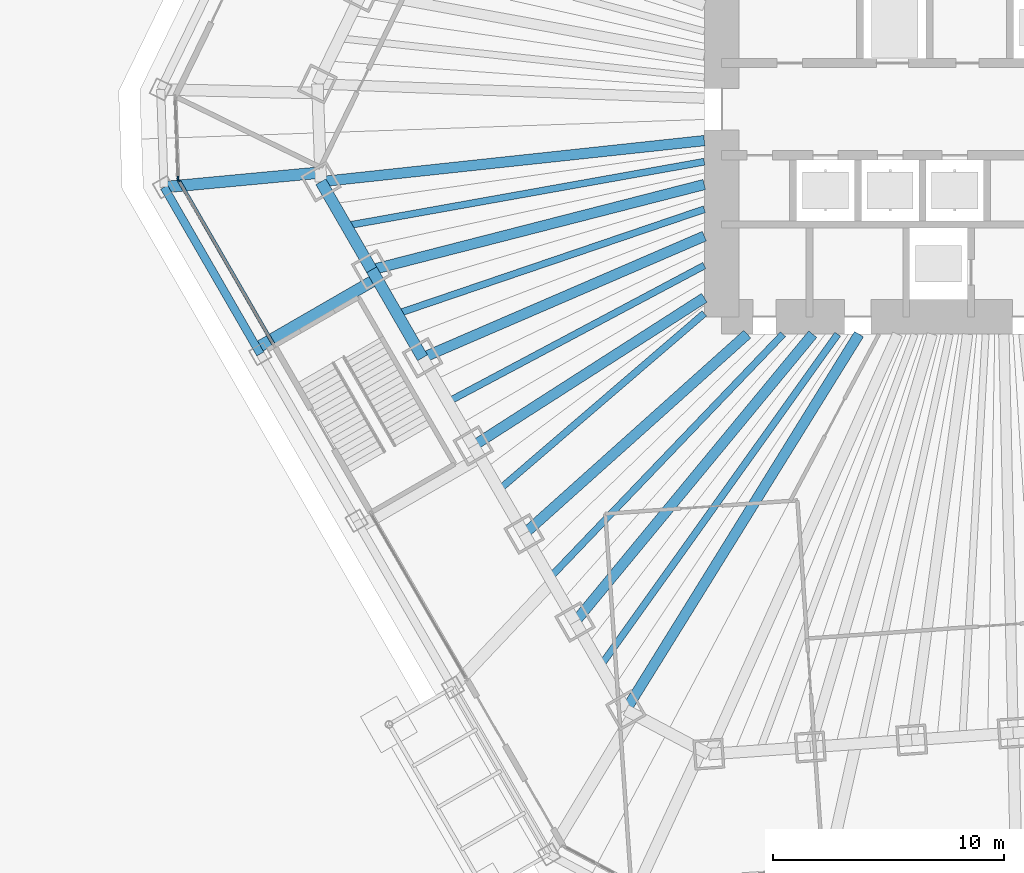
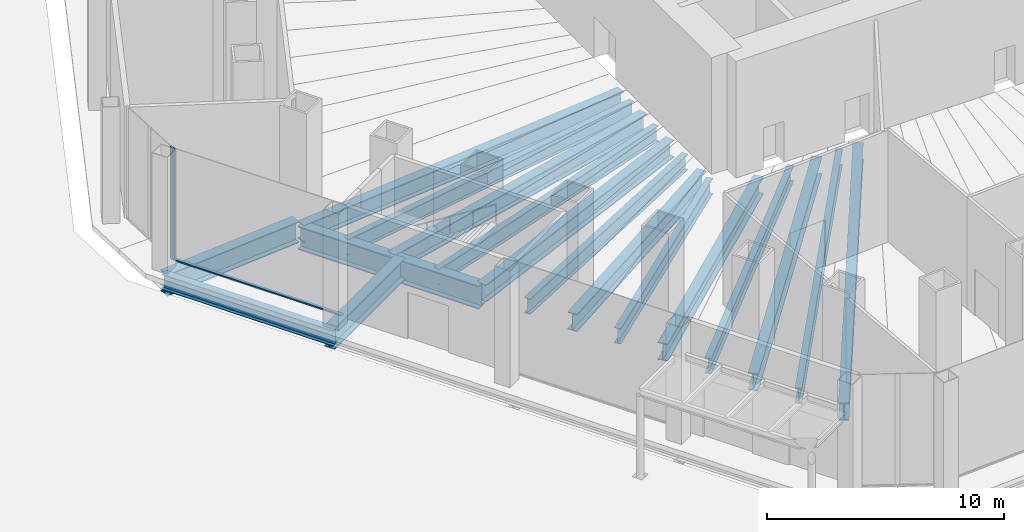
# One storey, part 12 of 45: 18 beams, 3 members, 2 elements without a shape of their own.
"""IFC4 building model written with IfcOpenShell, lengths in metres."""

from ifc_helpers import new_model, si_unit, direction, frame, origin, origin_2d, place, context, subcontext, project, spatial, rectangle, i_section, extrude, material, material_profile, profile_set, type_object, element, aggregate, save


model = new_model("IFC4")

# Units and contexts
model_context = context("Model", 3, precision=1e-05, world=origin(), true_north=direction((0.0, 1.0)))
body_context = subcontext(model_context, "Body", "Model", "MODEL_VIEW")
ifc_project = project(units=[si_unit("LENGTHUNIT", "METRE"), si_unit("AREAUNIT", "SQUARE_METRE"), si_unit("VOLUMEUNIT", "CUBIC_METRE"), si_unit("PLANEANGLEUNIT", "RADIAN"), si_unit("MASSUNIT", "GRAM", prefix="KILO")], contexts=[model_context])

# Site, building, storey
site_placement = place(None, origin())
site = spatial("IfcSite", under=ifc_project, at=site_placement, CompositionType="ELEMENT")
building_placement = place(site_placement, origin())
building = spatial("IfcBuilding", under=site, at=building_placement, Name="Qingtian Harvest Tower", CompositionType="ELEMENT")
storey_placement = place(building_placement, origin())
storey = spatial("IfcBuildingStorey", under=building, at=storey_placement, Name="L00", CompositionType="ELEMENT", Elevation=0.0)

# Beams
ifc_material_1 = material(Name="Steel SM570MC", Category="steel")
ifc_material_profile_1 = material_profile(ifc_material_1, i_section(OverallWidth=0.449951171875, OverallDepth=0.89990234375, WebThickness=0.02197265625, FlangeThickness=0.044921875, at=origin_2d()), Name="H900x450x22x45")
ifc_profile_set_1 = profile_set([ifc_material_profile_1], Name="Steel SM570MC")
beam_type_1 = type_object("IfcBeamType", Name="Floor beam FB5 H900x450x22x45", PredefinedType="BEAM", material=ifc_profile_set_1)
beam_1_placement = place(storey_placement, frame((-16.14697265625, -26.03271484375, -0.699951171875), z_axis=(0.5270935495, 0.849807266429, 0.0), x_axis=(-0.849807266429, 0.5270935495, 0.0)))
element("IfcBeam", 1, at=beam_1_placement, inside=storey, type_object=beam_type_1, Name="Floor beam FB5 SW0", PredefinedType="BEAM", context=body_context, shape_type="SweptSolid", body=[
    extrude(i_section(OverallWidth=0.449951171875, OverallDepth=0.89990234375, WebThickness=0.02197265625, FlangeThickness=0.044921875, at=origin_2d()), origin(), (0.0, 0.0, 1.0), 19.160400390625),
])
beam_2_placement = place(storey_placement, frame((-18.349365234375, -22.21826171875, -0.699951171875), z_axis=(0.636780387972, 0.771045224026, 0.0), x_axis=(-0.771045224026, 0.636780387972, 0.0)))
element("IfcBeam", 2, at=beam_2_placement, inside=storey, type_object=beam_type_1, Name="Floor beam FB5 SW1", PredefinedType="BEAM", context=body_context, shape_type="SweptSolid", body=[
    extrude(i_section(OverallWidth=0.449951171875, OverallDepth=0.89990234375, WebThickness=0.02197265625, FlangeThickness=0.044921875, at=origin_2d()), origin(), (0.0, 0.0, 1.0), 16.170654296875),
])
beam_3_placement = place(storey_placement, frame((-20.551513671875, -18.403564453125, -0.699951171875), z_axis=(0.744965104975, 0.667103434536, 0.0), x_axis=(-0.667103434536, 0.744965104975, 0.0)))
element("IfcBeam", 3, at=beam_3_placement, inside=storey, type_object=beam_type_1, Name="Floor beam FB5 SW2", PredefinedType="BEAM", context=body_context, shape_type="SweptSolid", body=[
    extrude(i_section(OverallWidth=0.449951171875, OverallDepth=0.89990234375, WebThickness=0.02197265625, FlangeThickness=0.044921875, at=origin_2d()), origin(), (0.0, 0.0, 1.0), 12.971923828125),
])
beam_4_placement = place(storey_placement, frame((-22.75390625, -14.589111328125, -0.699951171875), z_axis=(0.841829353865, 0.539743771591, 0.0), x_axis=(-0.539743771591, 0.841829353865, 0.0)))
element("IfcBeam", 4, at=beam_4_placement, inside=storey, type_object=beam_type_1, Name="Floor beam FB5 SW3", PredefinedType="BEAM", context=body_context, shape_type="SweptSolid", body=[
    extrude(i_section(OverallWidth=0.449951171875, OverallDepth=0.89990234375, WebThickness=0.02197265625, FlangeThickness=0.044921875, at=origin_2d()), origin(), (0.0, 0.0, 1.0), 11.883544921875),
])
beam_5_placement = place(storey_placement, frame((-24.9560546875, -10.774658203125, -0.699951171875), z_axis=(0.918083617325, 0.396386770213, 0.0), x_axis=(-0.396386770213, 0.918083617325, 0.0)))
element("IfcBeam", 5, at=beam_5_placement, inside=storey, type_object=beam_type_1, Name="Floor beam FB5 SW4", PredefinedType="BEAM", context=body_context, shape_type="SweptSolid", body=[
    extrude(i_section(OverallWidth=0.449951171875, OverallDepth=0.89990234375, WebThickness=0.02197265625, FlangeThickness=0.044921875, at=origin_2d()), origin(), (0.0, 0.0, 1.0), 13.295166015625),
])
beam_6_placement = place(storey_placement, frame((-27.158447265625, -6.960205078125, -0.699951171875), z_axis=(0.968693729942, 0.248258851947, 0.0), x_axis=(-0.248258851947, 0.968693729942, 0.0)))
element("IfcBeam", 6, at=beam_6_placement, inside=storey, type_object=beam_type_1, Name="Floor beam FB5 SW5", PredefinedType="BEAM", context=body_context, shape_type="SweptSolid", body=[
    extrude(i_section(OverallWidth=0.449951171875, OverallDepth=0.89990234375, WebThickness=0.02197265625, FlangeThickness=0.044921875, at=origin_2d()), origin(), (0.0, 0.0, 1.0), 14.8740234375),
])
beam_7_placement = place(storey_placement, frame((-29.36083984375, -3.145751953125, -0.699951171875), z_axis=(0.994308822197, 0.106536219669, 0.0), x_axis=(-0.106536219669, 0.994308822197, 0.0)))
element("IfcBeam", 7, at=beam_7_placement, inside=storey, type_object=beam_type_1, Name="Floor beam FB5 SW6", PredefinedType="BEAM", context=body_context, shape_type="SweptSolid", body=[
    extrude(i_section(OverallWidth=0.449951171875, OverallDepth=0.89990234375, WebThickness=0.02197265625, FlangeThickness=0.044921875, at=origin_2d()), origin(), (0.0, 0.0, 1.0), 16.705810546875),
])
ifc_material_2 = material(Name="Steel SM570MC", Category="steel")
ifc_material_profile_2 = material_profile(ifc_material_2, i_section(OverallWidth=0.5, OverallDepth=1.10009765625, WebThickness=0.02490234375, FlangeThickness=0.050048828125, at=origin_2d()), Name="H1100x500x25x50")
ifc_profile_set_2 = profile_set([ifc_material_profile_2], Name="Steel SM570MC")
beam_type_2 = type_object("IfcBeamType", Name="Floor beam FB6 H1100x500x25x50", PredefinedType="BEAM", material=ifc_profile_set_2)
beam_8_placement = place(storey_placement, frame((-32.131103515625, -10.34716796875, -0.800048828125), z_axis=(0.866020924479, 0.500007758305, 0.0), x_axis=(-0.500007758305, 0.866020924479, 0.0)))
element("IfcBeam", 8, at=beam_8_placement, inside=storey, type_object=beam_type_2, Name="Podium floor beam FB6 SW3", PredefinedType="BEAM", context=body_context, shape_type="SweptSolid", body=[
    extrude(i_section(OverallWidth=0.5, OverallDepth=1.10009765625, WebThickness=0.02490234375, FlangeThickness=0.050048828125, at=origin_2d()), origin(), (0.0, 0.0, 1.0), 6.0),
])
beam_9_placement = place(storey_placement, frame((-36.152099609375, -3.3828125, -0.800048828125), z_axis=(0.995649523879, 0.093177387812, 0.0), x_axis=(-0.093177387812, 0.995649523879, 0.0)))
element("IfcBeam", 9, at=beam_9_placement, inside=storey, type_object=beam_type_2, Name="Podium floor beam FB6 SW4", PredefinedType="BEAM", context=body_context, shape_type="SweptSolid", body=[
    extrude(i_section(OverallWidth=0.5, OverallDepth=1.10009765625, WebThickness=0.02490234375, FlangeThickness=0.050048828125, at=origin_2d()), origin(), (0.0, 0.0, 1.0), 6.80712890625),
])
ifc_material_3 = material(Name="Steel SN490B", Category="steel")
ifc_material_profile_3 = material_profile(ifc_material_3, i_section(OverallWidth=0.300048828125, OverallDepth=0.800048828125, WebThickness=0.013916015625, FlangeThickness=0.02587890625, at=origin_2d()), Name="H800x300x14x26")
ifc_profile_set_3 = profile_set([ifc_material_profile_3], Name="Steel SN490B")
beam_type_3 = type_object("IfcBeamType", Name="Floor joist J1 H800x300x14x26", PredefinedType="JOIST", material=ifc_profile_set_3)
beam_10_placement = place(storey_placement, frame((-17.248046875, -24.12548828125, -0.64990234375), z_axis=(0.581580544546, 0.81348882611, 0.0), x_axis=(-0.81348882611, 0.581580544546, 0.0)))
element("IfcBeam", 10, at=beam_10_placement, inside=storey, type_object=beam_type_3, Name="Floor joist J1 SW0", PredefinedType="JOIST", context=body_context, shape_type="SweptSolid", body=[
    extrude(i_section(OverallWidth=0.300048828125, OverallDepth=0.800048828125, WebThickness=0.013916015625, FlangeThickness=0.02587890625, at=origin_2d()), origin(), (0.0, 0.0, 1.0), 17.67138671875),
])
beam_11_placement = place(storey_placement, frame((-19.450439453125, -20.31103515625, -0.64990234375), z_axis=(0.691639144398, 0.722243237377, 0.0), x_axis=(-0.722243237377, 0.691639144398, 0.0)))
element("IfcBeam", 11, at=beam_11_placement, inside=storey, type_object=beam_type_3, Name="Floor joist J1 SW1", PredefinedType="JOIST", context=body_context, shape_type="SweptSolid", body=[
    extrude(i_section(OverallWidth=0.300048828125, OverallDepth=0.800048828125, WebThickness=0.013916015625, FlangeThickness=0.02587890625, at=origin_2d()), origin(), (0.0, 0.0, 1.0), 14.62255859375),
])
beam_12_placement = place(storey_placement, frame((-21.652587890625, -16.496337890625, -0.64990234375), z_axis=(0.758605680154, 0.651550014994, 0.0), x_axis=(-0.651550014994, 0.758605680154, 0.0)))
element("IfcBeam", 12, at=beam_12_placement, inside=storey, type_object=beam_type_3, Name="Floor joist J1 SW2", PredefinedType="JOIST", context=body_context, shape_type="SweptSolid", body=[
    extrude(i_section(OverallWidth=0.300048828125, OverallDepth=0.800048828125, WebThickness=0.013916015625, FlangeThickness=0.02587890625, at=origin_2d()), origin(), (0.0, 0.0, 1.0), 11.7353515625),
])
beam_13_placement = place(storey_placement, frame((-23.85498046875, -12.681884765625, -0.64990234375), z_axis=(0.882982474604, 0.469405953885, 0.0), x_axis=(-0.469405953885, 0.882982474604, 0.0)))
element("IfcBeam", 13, at=beam_13_placement, inside=storey, type_object=beam_type_3, Name="Floor joist J1 SW3", PredefinedType="JOIST", context=body_context, shape_type="SweptSolid", body=[
    extrude(i_section(OverallWidth=0.300048828125, OverallDepth=0.800048828125, WebThickness=0.013916015625, FlangeThickness=0.02587890625, at=origin_2d()), origin(), (0.0, 0.0, 1.0), 12.57666015625),
])
beam_14_placement = place(storey_placement, frame((-26.057373046875, -8.867431640625, -0.64990234375), z_axis=(0.946684735425, 0.322161468387, 0.0), x_axis=(-0.322161468387, 0.946684735425, 0.0)))
element("IfcBeam", 14, at=beam_14_placement, inside=storey, type_object=beam_type_3, Name="Floor joist J1 SW4", PredefinedType="JOIST", context=body_context, shape_type="SweptSolid", body=[
    extrude(i_section(OverallWidth=0.300048828125, OverallDepth=0.800048828125, WebThickness=0.013916015625, FlangeThickness=0.02587890625, at=origin_2d()), origin(), (0.0, 0.0, 1.0), 14.056884765625),
])
beam_15_placement = place(storey_placement, frame((-28.259521484375, -5.052978515625, -0.64990234375), z_axis=(0.984387614034, 0.176014275943, 0.0), x_axis=(-0.176014275943, 0.984387614034, 0.0)))
element("IfcBeam", 15, at=beam_15_placement, inside=storey, type_object=beam_type_3, Name="Floor joist J1 SW5", PredefinedType="JOIST", context=body_context, shape_type="SweptSolid", body=[
    extrude(i_section(OverallWidth=0.300048828125, OverallDepth=0.800048828125, WebThickness=0.013916015625, FlangeThickness=0.02587890625, at=origin_2d()), origin(), (0.0, 0.0, 1.0), 15.755615234375),
])

# Curtain wall, member
ifc_material_4 = material(Name="Bronze-anodised aluminium curtain wall", Category="aluminium")
curtain_wall_type = type_object("IfcCurtainWallType", Name="Curtain wall CW1 podium shopfront", PredefinedType="USERDEFINED", material=ifc_material_4)
curtain_wall_1_placement = place(storey_placement, origin())
curtain_wall_1 = element("IfcCurtainWall", 16, at=curtain_wall_1_placement, inside=storey, type_object=curtain_wall_type, Name="Curtain wall CW1 L00 SW3", ObjectType="RECESSED CURTAIN WALL", PredefinedType="USERDEFINED")
ifc_material_5 = material(Name="Bronze-anodised aluminium mullion", Category="aluminium")
ifc_material_profile_4 = material_profile(ifc_material_5, rectangle(XDim=0.06494140625, YDim=0.199951171875, at=origin_2d()), Name="AL 65x200")
ifc_profile_set_4 = profile_set([ifc_material_profile_4], Name="Bronze-anodised aluminium mullion")
member_type_1 = type_object("IfcMemberType", Name="Mullion CWM 65x200", PredefinedType="MULLION", material=ifc_profile_set_4)
member_1_placement = place(storey_placement, frame((-35.529541015625, -3.06103515625, 0.0), z_axis=(0.0, 0.0, 1.0), x_axis=(-0.866025403784, -0.5, 0.0)))
member_1 = element("IfcMember", 17, at=member_1_placement, type_object=member_type_1, Name="CW1 mullion 2", PredefinedType="MULLION", context=body_context, shape_type="SweptSolid", body=[
    extrude(rectangle(XDim=0.06494140625, YDim=0.199951171875, at=origin_2d()), origin(), (0.0, 0.0, 1.0), 5.75),
])

curtain_wall_2_placement = place(storey_placement, origin())
curtain_wall_2 = element("IfcCurtainWall", 18, at=curtain_wall_2_placement, inside=storey, type_object=curtain_wall_type, Name="Curtain wall CW1 L00 SWC", ObjectType="RECESSED CURTAIN WALL", PredefinedType="USERDEFINED")
member_2_placement = place(storey_placement, frame((-35.546875, -3.000244140625, 0.0), z_axis=(0.0, 0.0, 1.0), x_axis=(-0.999390827019, -0.034899496703, 0.0)))
member_2 = element("IfcMember", 19, at=member_2_placement, type_object=member_type_1, Name="CW1 mullion 1", PredefinedType="MULLION", context=body_context, shape_type="SweptSolid", body=[
    extrude(rectangle(XDim=0.06494140625, YDim=0.199951171875, at=origin_2d()), origin(), (0.0, 0.0, 1.0), 5.75),
])
aggregate(curtain_wall_2, [member_2])

# Beams
ifc_material_6 = material(Name="Steel SN490B", Category="steel")
ifc_material_profile_5 = material_profile(ifc_material_6, i_section(OverallWidth=0.35009765625, OverallDepth=0.800048828125, WebThickness=0.01611328125, FlangeThickness=0.028076171875, at=origin_2d()), Name="H800x350x16x28")
ifc_profile_set_5 = profile_set([ifc_material_profile_5], Name="Steel SN490B")
beam_type_4 = type_object("IfcBeamType", Name="Podium beam PB1 H800x350x16x28", PredefinedType="BEAM", material=ifc_profile_set_5)
beam_16_placement = place(storey_placement, frame((-31.981201171875, -10.60693359375, -0.64990234375), z_axis=(-0.500004511595, 0.866022798998, 0.0), x_axis=(-0.866022798998, -0.500004511595, 0.0)))
element("IfcBeam", 20, at=beam_16_placement, inside=storey, type_object=beam_type_4, Name="Podium edge beam PB1 SW3", PredefinedType="BEAM", context=body_context, shape_type="SweptSolid", body=[
    extrude(i_section(OverallWidth=0.35009765625, OverallDepth=0.800048828125, WebThickness=0.01611328125, FlangeThickness=0.028076171875, at=origin_2d()), origin(), (0.0, 0.0, 1.0), 8.341796875),
])
ifc_material_7 = material(Name="Steel SM570MC", Category="steel")
ifc_material_profile_6 = material_profile(ifc_material_7, i_section(OverallWidth=0.5, OverallDepth=1.199951171875, WebThickness=0.02490234375, FlangeThickness=0.050048828125, at=origin_2d()), Name="H1200x500x25x50")
ifc_profile_set_6 = profile_set([ifc_material_profile_6], Name="Steel SM570MC")
beam_type_5 = type_object("IfcBeamType", Name="Spandrel beam SB1 H1200x500x25x50", PredefinedType="SPANDREL", material=ifc_profile_set_6)
for number, where, z_axis, x_axis, name in (
    (21, (-24.9560546875, -10.774658203125, -0.85009765625), (-0.50001992892, 0.866013897511, 0.0), (-0.866013897511, -0.50001992892, 0.0), "Spandrel SB1 SW4"),
    (22, (-27.158447265625, -6.960205078125, -0.85009765625), (-0.50001992892, 0.866013897511, 0.0), (-0.866013897511, -0.50001992892, 0.0), "Spandrel SB1 SW5"),
):
    element("IfcBeam", number, at=place(storey_placement, frame(where, z_axis=z_axis, x_axis=x_axis)), inside=storey, type_object=beam_type_5, Name=name, PredefinedType="SPANDREL", context=body_context, shape_type="SweptSolid", body=[
        extrude(i_section(OverallWidth=0.5, OverallDepth=1.199951171875, WebThickness=0.02490234375, FlangeThickness=0.050048828125, at=origin_2d()), origin(), (0.0, 0.0, 1.0), 4.404541015625),
    ])

# Member
ifc_material_8 = material(Name="Bronze-anodised aluminium transom", Category="aluminium")
ifc_material_profile_7 = material_profile(ifc_material_8, rectangle(XDim=0.14990234375, YDim=0.06494140625, at=origin_2d()), Name="AL 65x150")
ifc_profile_set_7 = profile_set([ifc_material_profile_7], Name="Bronze-anodised aluminium transom")
member_type_2 = type_object("IfcMemberType", Name="Transom CWT 65x150", PredefinedType="USERDEFINED", material=ifc_profile_set_7)
member_3_placement = place(storey_placement, frame((-31.407470703125, -10.20068359375, 0.032470703125), z_axis=(-0.500008116609, 0.866020717607, 0.0), x_axis=(-0.866020717607, -0.500008116609, 0.0)))
member_3 = element("IfcMember", 23, at=member_3_placement, type_object=member_type_2, Name="CW1 transom 1.1", ObjectType="TRANSOM", PredefinedType="USERDEFINED", context=body_context, shape_type="SweptSolid", body=[
    extrude(rectangle(XDim=0.14990234375, YDim=0.06494140625, at=origin_2d()), origin(), (0.0, 0.0, 1.0), 8.211669921875),
])

aggregate(curtain_wall_1, [member_1, member_3])

save(model, "model.ifc")
